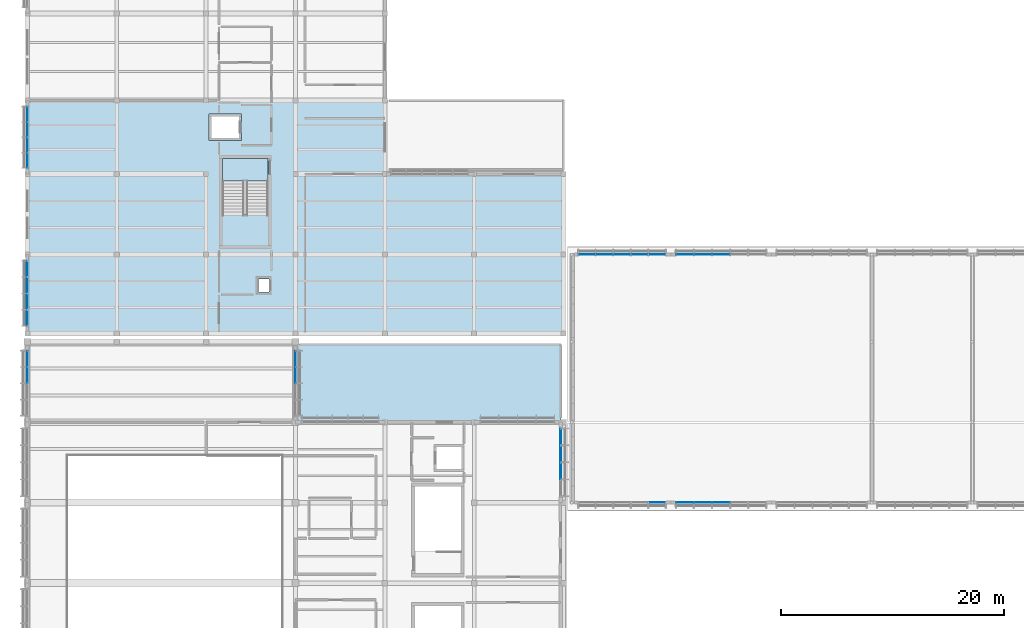
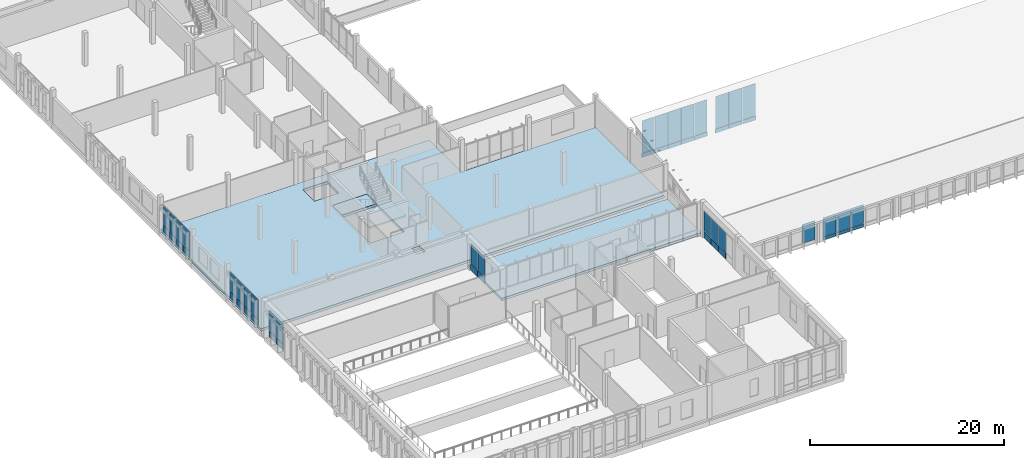
# One storey, part 146 of 182: 53 plates, 4 slabs, 10 elements without a shape of their own.
"""IFC4 building model written with IfcOpenShell, lengths in metres."""

from ifc_helpers import new_model, si_unit, direction, frame, origin, origin_2d, place, context, subcontext, project, spatial, polyline, rectangle, outline, extrude, material, layer, layer_set, type_object, element, aggregate, save


model = new_model("IFC4")

# Units and contexts
model_context = context("Model", 3, precision=1e-05, world=origin(), true_north=direction((0.0, 1.0)))
body_context = subcontext(model_context, "Body", "Model", "MODEL_VIEW")
ifc_project = project(units=[si_unit("LENGTHUNIT", "METRE"), si_unit("AREAUNIT", "SQUARE_METRE"), si_unit("VOLUMEUNIT", "CUBIC_METRE"), si_unit("PLANEANGLEUNIT", "RADIAN"), si_unit("MASSUNIT", "GRAM", prefix="KILO")], contexts=[model_context])

# Site, building, storey
site_placement = place(None, origin())
site = spatial("IfcSite", under=ifc_project, at=site_placement, CompositionType="ELEMENT")
building_placement = place(site_placement, origin())
building = spatial("IfcBuilding", under=site, at=building_placement, Name="Chiffa Square Polytechnic", CompositionType="ELEMENT")
storey_placement = place(building_placement, frame((0.0, 0.0, 9.60009765625)))
storey = spatial("IfcBuildingStorey", under=building, at=storey_placement, Name="L02", CompositionType="ELEMENT", Elevation=9.60009765625)

# Curtain wall, plates
ifc_material_1 = material(Name="Aluminium EN AW-6060 T66 and glulam shading", Category="wood")
curtain_wall_type_1 = type_object("IfcCurtainWallType", Name="CW-VERT-480X380", PredefinedType="USERDEFINED", material=ifc_material_1)
curtain_wall_1_placement = place(storey_placement, origin())
curtain_wall_1 = element("IfcCurtainWall", 1, at=curtain_wall_1_placement, inside=storey, type_object=curtain_wall_type_1, Name="Curtain wall CW-V3-L02-174", ObjectType="CURTAIN WALL", PredefinedType="USERDEFINED")
ifc_material_2 = material(Name="Double glazing", Category="glass")
ifc_layer_1 = layer(ifc_material_2, 0.0439453125, Name="Double glazing")
ifc_layer_set_1 = layer_set([ifc_layer_1], Name="Double glazing")
plate_type_1 = type_object("IfcPlateType", Name="CWP-GLZ-134X118", PredefinedType="CURTAIN_PANEL", material=ifc_layer_set_1)
plate_1_placement = place(storey_placement, frame((0.0, 34.465087890625, 0.84033203125), z_axis=(0.0, 0.0, 1.0), x_axis=(0.0, -1.0, 0.0)))
plate_1 = element("IfcPlate", 2, at=plate_1_placement, type_object=plate_type_1, Name="Glazed curtain panel CW-V3-L02-174-PN01", PredefinedType="CURTAIN_PANEL", context=body_context, shape_type="SweptSolid", body=[
    extrude(rectangle(XDim=1.39404296875, YDim=0.0439453125, at=origin_2d()), origin(), (0.0, 0.0, 1.0), 2.4951171875),
])
plate_2_placement = place(storey_placement, frame((0.0, 33.009033203125, 0.84033203125), z_axis=(0.0, 0.0, 1.0), x_axis=(0.0, -1.0, 0.0)))
plate_2 = element("IfcPlate", 3, at=plate_2_placement, type_object=plate_type_1, Name="Glazed curtain panel CW-V3-L02-174-PN02", PredefinedType="CURTAIN_PANEL", context=body_context, shape_type="SweptSolid", body=[
    extrude(rectangle(XDim=1.416015625, YDim=0.0439453125, at=origin_2d()), origin(), (0.0, 0.0, 1.0), 2.4951171875),
])

curtain_wall_type_2 = type_object("IfcCurtainWallType", Name="CW-VERT-360X380", PredefinedType="USERDEFINED", material=ifc_material_1)
curtain_wall_2_placement = place(storey_placement, origin())
curtain_wall_2 = element("IfcCurtainWall", 4, at=curtain_wall_2_placement, inside=storey, type_object=curtain_wall_type_2, Name="Curtain wall CW-V3-L02-173", ObjectType="CURTAIN WALL", PredefinedType="USERDEFINED")
ifc_layer_2 = layer(ifc_material_2, 0.0419921875, Name="Double glazing")
ifc_layer_set_2 = layer_set([ifc_layer_2], Name="Double glazing")
plate_type_2 = type_object("IfcPlateType", Name="CWP-GLZ-136X122", PredefinedType="CURTAIN_PANEL", material=ifc_layer_set_2)
plate_3_placement = place(storey_placement, frame((24.0, 33.009033203125, 0.84033203125), z_axis=(0.0, 0.0, 1.0), x_axis=(0.0, 1.0, 0.0)))
plate_3 = element("IfcPlate", 5, at=plate_3_placement, type_object=plate_type_2, Name="Glazed curtain panel CW-V3-L02-173-PN03", PredefinedType="CURTAIN_PANEL", context=body_context, shape_type="SweptSolid", body=[
    extrude(rectangle(XDim=1.416015625, YDim=0.0419921875, at=origin_2d()), origin(), (0.0, 0.0, 1.0), 2.4951171875),
])
plate_4_placement = place(storey_placement, frame((24.0, 34.465087890625, 0.84033203125), z_axis=(0.0, 0.0, 1.0), x_axis=(0.0, 1.0, 0.0)))
plate_4 = element("IfcPlate", 6, at=plate_4_placement, type_object=plate_type_2, Name="Glazed curtain panel CW-V3-L02-173-PN04", PredefinedType="CURTAIN_PANEL", context=body_context, shape_type="SweptSolid", body=[
    extrude(rectangle(XDim=1.39404296875, YDim=0.0419921875, at=origin_2d()), origin(), (0.0, 0.0, 1.0), 2.4951171875),
])

curtain_wall_3_placement = place(storey_placement, origin())
curtain_wall_3 = element("IfcCurtainWall", 7, at=curtain_wall_3_placement, inside=storey, type_object=curtain_wall_type_2, Name="Curtain wall CW-V6-L02-269", ObjectType="CURTAIN WALL", PredefinedType="USERDEFINED")
ifc_layer_3 = layer(ifc_material_2, 0.0400390625, Name="Double glazing")
ifc_layer_set_3 = layer_set([ifc_layer_3], Name="Double glazing")
plate_type_3 = type_object("IfcPlateType", Name="CWP-GLZ-140X130", PredefinedType="CURTAIN_PANEL", material=ifc_layer_set_3)
plate_5_placement = place(storey_placement, frame((0.0, 42.514892578125, 0.84033203125), z_axis=(0.0, 0.0, 1.0), x_axis=(0.0, -1.0, 0.0)))
plate_5 = element("IfcPlate", 8, at=plate_5_placement, type_object=plate_type_3, Name="Glazed curtain panel CW-V6-L02-269-PN01", PredefinedType="CURTAIN_PANEL", context=body_context, shape_type="SweptSolid", body=[
    extrude(rectangle(XDim=1.39306640625, YDim=0.0400390625, at=origin_2d()), origin(), (0.0, 0.0, 1.0), 2.485107421875),
])
plate_6_placement = place(storey_placement, frame((0.0, 41.05908203125, 0.84033203125), z_axis=(0.0, 0.0, 1.0), x_axis=(0.0, -1.0, 0.0)))
plate_6 = element("IfcPlate", 9, at=plate_6_placement, type_object=plate_type_3, Name="Glazed curtain panel CW-V6-L02-269-PN02", PredefinedType="CURTAIN_PANEL", context=body_context, shape_type="SweptSolid", body=[
    extrude(rectangle(XDim=1.4150390625, YDim=0.0400390625, at=origin_2d()), origin(), (0.0, 0.0, 1.0), 2.485107421875),
])
plate_7_placement = place(storey_placement, frame((0.0, 39.591064453125, 0.84033203125), z_axis=(0.0, 0.0, 1.0), x_axis=(0.0, -1.0, 0.0)))
plate_7 = element("IfcPlate", 10, at=plate_7_placement, type_object=plate_type_3, Name="Glazed curtain panel CW-V6-L02-269-PN03", PredefinedType="CURTAIN_PANEL", context=body_context, shape_type="SweptSolid", body=[
    extrude(rectangle(XDim=1.4150390625, YDim=0.0400390625, at=origin_2d()), origin(), (0.0, 0.0, 1.0), 2.485107421875),
])
plate_8_placement = place(storey_placement, frame((0.0, 38.135009765625, 0.84033203125), z_axis=(0.0, 0.0, 1.0), x_axis=(0.0, -1.0, 0.0)))
plate_8 = element("IfcPlate", 11, at=plate_8_placement, type_object=plate_type_3, Name="Glazed curtain panel CW-V6-L02-269-PN04", PredefinedType="CURTAIN_PANEL", context=body_context, shape_type="SweptSolid", body=[
    extrude(rectangle(XDim=1.39306640625, YDim=0.0400390625, at=origin_2d()), origin(), (0.0, 0.0, 1.0), 2.485107421875),
])

curtain_wall_type_3 = type_object("IfcCurtainWallType", Name="CW-VERT-450X380", PredefinedType="USERDEFINED", material=ifc_material_1)
curtain_wall_4_placement = place(storey_placement, origin())
curtain_wall_4 = element("IfcCurtainWall", 12, at=curtain_wall_4_placement, inside=storey, type_object=curtain_wall_type_3, Name="Curtain wall CW-V3-L02-170", ObjectType="CURTAIN WALL", PredefinedType="USERDEFINED")
ifc_layer_4 = layer(ifc_material_2, 0.0400390625, Name="Double glazing")
ifc_layer_set_4 = layer_set([ifc_layer_4], Name="Double glazing")
plate_type_4 = type_object("IfcPlateType", Name="CWP-GLZ-144X134", PredefinedType="CURTAIN_PANEL", material=ifc_layer_set_4)
plate_9_placement = place(storey_placement, frame((47.75, 24.43505859375, 0.84033203125), z_axis=(0.0, 0.0, 1.0), x_axis=(0.0, 1.0, 0.0)))
plate_9 = element("IfcPlate", 13, at=plate_9_placement, type_object=plate_type_4, Name="Glazed curtain panel CW-V3-L02-170-PN02", PredefinedType="CURTAIN_PANEL", context=body_context, shape_type="SweptSolid", body=[
    extrude(rectangle(XDim=1.47802734375, YDim=0.0400390625, at=origin_2d()), origin(), (0.0, 0.0, 1.0), 2.4951171875),
])
plate_10_placement = place(storey_placement, frame((47.75, 25.965087890625, 0.84033203125), z_axis=(0.0, 0.0, 1.0), x_axis=(0.0, 1.0, 0.0)))
plate_10 = element("IfcPlate", 14, at=plate_10_placement, type_object=plate_type_4, Name="Glazed curtain panel CW-V3-L02-170-PN03", PredefinedType="CURTAIN_PANEL", context=body_context, shape_type="SweptSolid", body=[
    extrude(rectangle(XDim=1.47802734375, YDim=0.0400390625, at=origin_2d()), origin(), (0.0, 0.0, 1.0), 2.4951171875),
])
plate_11_placement = place(storey_placement, frame((47.75, 27.48388671875, 0.84033203125), z_axis=(0.0, 0.0, 1.0), x_axis=(0.0, 1.0, 0.0)))
plate_11 = element("IfcPlate", 15, at=plate_11_placement, type_object=plate_type_4, Name="Glazed curtain panel CW-V3-L02-170-PN04", PredefinedType="CURTAIN_PANEL", context=body_context, shape_type="SweptSolid", body=[
    extrude(rectangle(XDim=1.4560546875, YDim=0.0400390625, at=origin_2d()), origin(), (0.0, 0.0, 1.0), 2.4951171875),
])

curtain_wall_type_4 = type_object("IfcCurtainWallType", Name="CW-VERT-600X380", PredefinedType="USERDEFINED", material=ifc_material_1)
curtain_wall_5_placement = place(storey_placement, origin())
curtain_wall_5 = element("IfcCurtainWall", 16, at=curtain_wall_5_placement, inside=storey, type_object=curtain_wall_type_4, Name="Curtain wall CW-V6-L02-268", ObjectType="CURTAIN WALL", PredefinedType="USERDEFINED")
plate_12_placement = place(storey_placement, frame((0.0, 56.35888671875, 0.84033203125), z_axis=(0.0, 0.0, 1.0), x_axis=(0.0, -1.0, 0.0)))
plate_12 = element("IfcPlate", 17, at=plate_12_placement, type_object=plate_type_4, Name="Glazed curtain panel CW-V6-L02-268-PN01", PredefinedType="CURTAIN_PANEL", context=body_context, shape_type="SweptSolid", body=[
    extrude(rectangle(XDim=1.305908203125, YDim=0.0400390625, at=origin_2d()), origin(), (0.0, 0.0, 1.0), 2.485107421875),
])
plate_13_placement = place(storey_placement, frame((0.0, 54.989990234375, 0.84033203125), z_axis=(0.0, 0.0, 1.0), x_axis=(0.0, -1.0, 0.0)))
plate_13 = element("IfcPlate", 18, at=plate_13_placement, type_object=plate_type_4, Name="Glazed curtain panel CW-V6-L02-268-PN02", PredefinedType="CURTAIN_PANEL", context=body_context, shape_type="SweptSolid", body=[
    extrude(rectangle(XDim=1.327880859375, YDim=0.0400390625, at=origin_2d()), origin(), (0.0, 0.0, 1.0), 2.485107421875),
])
plate_14_placement = place(storey_placement, frame((0.0, 53.610107421875, 0.84033203125), z_axis=(0.0, 0.0, 1.0), x_axis=(0.0, -1.0, 0.0)))
plate_14 = element("IfcPlate", 19, at=plate_14_placement, type_object=plate_type_4, Name="Glazed curtain panel CW-V6-L02-268-PN03", PredefinedType="CURTAIN_PANEL", context=body_context, shape_type="SweptSolid", body=[
    extrude(rectangle(XDim=1.327880859375, YDim=0.0400390625, at=origin_2d()), origin(), (0.0, 0.0, 1.0), 2.485107421875),
])
plate_15_placement = place(storey_placement, frame((0.0, 52.240966796875, 0.84033203125), z_axis=(0.0, 0.0, 1.0), x_axis=(0.0, -1.0, 0.0)))
plate_15 = element("IfcPlate", 20, at=plate_15_placement, type_object=plate_type_4, Name="Glazed curtain panel CW-V6-L02-268-PN04", PredefinedType="CURTAIN_PANEL", context=body_context, shape_type="SweptSolid", body=[
    extrude(rectangle(XDim=1.305908203125, YDim=0.0400390625, at=origin_2d()), origin(), (0.0, 0.0, 1.0), 2.485107421875),
])

# Curtain wall, plate
curtain_wall_type_5 = type_object("IfcCurtainWallType", Name="CW-VERT-600X440", PredefinedType="USERDEFINED", material=ifc_material_1)
curtain_wall_6_placement = place(storey_placement, origin())
curtain_wall_6 = element("IfcCurtainWall", 21, at=curtain_wall_6_placement, inside=storey, type_object=curtain_wall_type_5, Name="Curtain wall CW-V4-CLRS-01", ObjectType="CURTAIN WALL", PredefinedType="USERDEFINED")
ifc_layer_5 = layer(ifc_material_2, 0.035888671875, Name="Double glazing")
ifc_layer_set_5 = layer_set([ifc_layer_5], Name="Double glazing")
plate_type_5 = type_object("IfcPlateType", Name="CWP-GLZ-150X145", PredefinedType="CURTAIN_PANEL", material=ifc_layer_set_5)
plate_16_placement = place(storey_placement, frame((56.362060546875, 21.60009765625, 0.509765625), z_axis=(0.0, 0.0, 1.0), x_axis=(1.0, 0.0, 0.0)))
plate_16 = element("IfcPlate", 22, at=plate_16_placement, type_object=plate_type_5, Name="Glazed curtain panel CW-V4-CLRS-01-PN05", PredefinedType="CURTAIN_PANEL", context=body_context, shape_type="SweptSolid", body=[
    extrude(rectangle(XDim=1.5, YDim=0.035888671875, at=origin_2d()), origin(), (0.0, 0.0, 1.0), 2.382080078125),
])
aggregate(curtain_wall_6, [plate_16])

# Curtain wall, plates
curtain_wall_7_placement = place(storey_placement, origin())
curtain_wall_7 = element("IfcCurtainWall", 23, at=curtain_wall_7_placement, inside=storey, type_object=curtain_wall_type_3, Name="Curtain wall CW-V4-CLRN-01", ObjectType="CURTAIN WALL", PredefinedType="USERDEFINED")
plate_17_placement = place(storey_placement, frame((56.362060546875, 43.800048828125, 0.6103515625), z_axis=(0.0, 0.0, 1.0), x_axis=(-1.0, 0.0, 0.0)))
plate_17 = element("IfcPlate", 24, at=plate_17_placement, type_object=plate_type_5, Name="Glazed curtain panel CW-V4-CLRN-01-PN01", PredefinedType="CURTAIN_PANEL", context=body_context, shape_type="SweptSolid", body=[
    extrude(rectangle(XDim=1.5, YDim=0.035888671875, at=origin_2d()), origin(), (0.0, 0.0, 1.0), 4.0830078125),
])
plate_18_placement = place(storey_placement, frame((54.799072265625, 43.800048828125, 0.6103515625), z_axis=(0.0, 0.0, 1.0), x_axis=(-1.0, 0.0, 0.0)))
plate_18 = element("IfcPlate", 25, at=plate_18_placement, type_object=plate_type_5, Name="Glazed curtain panel CW-V4-CLRN-01-PN02", PredefinedType="CURTAIN_PANEL", context=body_context, shape_type="SweptSolid", body=[
    extrude(rectangle(XDim=1.52197265625, YDim=0.035888671875, at=origin_2d()), origin(), (0.0, 0.0, 1.0), 4.0830078125),
])
plate_19_placement = place(storey_placement, frame((53.22509765625, 43.800048828125, 0.6103515625), z_axis=(0.0, 0.0, 1.0), x_axis=(-1.0, 0.0, 0.0)))
plate_19 = element("IfcPlate", 26, at=plate_19_placement, type_object=plate_type_5, Name="Glazed curtain panel CW-V4-CLRN-01-PN03", PredefinedType="CURTAIN_PANEL", context=body_context, shape_type="SweptSolid", body=[
    extrude(rectangle(XDim=1.52197265625, YDim=0.035888671875, at=origin_2d()), origin(), (0.0, 0.0, 1.0), 4.0830078125),
])
plate_20_placement = place(storey_placement, frame((51.65087890625, 43.800048828125, 0.6103515625), z_axis=(0.0, 0.0, 1.0), x_axis=(-1.0, 0.0, 0.0)))
plate_20 = element("IfcPlate", 27, at=plate_20_placement, type_object=plate_type_5, Name="Glazed curtain panel CW-V4-CLRN-01-PN04", PredefinedType="CURTAIN_PANEL", context=body_context, shape_type="SweptSolid", body=[
    extrude(rectangle(XDim=1.52197265625, YDim=0.035888671875, at=origin_2d()), origin(), (0.0, 0.0, 1.0), 4.0830078125),
])
plate_21_placement = place(storey_placement, frame((50.087890625, 43.800048828125, 0.6103515625), z_axis=(0.0, 0.0, 1.0), x_axis=(-1.0, 0.0, 0.0)))
plate_21 = element("IfcPlate", 28, at=plate_21_placement, type_object=plate_type_5, Name="Glazed curtain panel CW-V4-CLRN-01-PN05", PredefinedType="CURTAIN_PANEL", context=body_context, shape_type="SweptSolid", body=[
    extrude(rectangle(XDim=1.5, YDim=0.035888671875, at=origin_2d()), origin(), (0.0, 0.0, 1.0), 4.0830078125),
])

curtain_wall_8_placement = place(storey_placement, origin())
curtain_wall_8 = element("IfcCurtainWall", 29, at=curtain_wall_8_placement, inside=storey, type_object=curtain_wall_type_3, Name="Curtain wall CW-V4-CLRS-02", ObjectType="CURTAIN WALL", PredefinedType="USERDEFINED")
plate_22_placement = place(storey_placement, frame((58.863037109375, 21.60009765625, 0.509765625), z_axis=(0.0, 0.0, 1.0), x_axis=(1.0, 0.0, 0.0)))
plate_22 = element("IfcPlate", 30, at=plate_22_placement, type_object=plate_type_5, Name="Glazed curtain panel CW-V4-CLRS-02-PN01", PredefinedType="CURTAIN_PANEL", context=body_context, shape_type="SweptSolid", body=[
    extrude(rectangle(XDim=1.550048828125, YDim=0.035888671875, at=origin_2d()), origin(), (0.0, 0.0, 1.0), 2.382080078125),
])
plate_23_placement = place(storey_placement, frame((60.47607421875, 21.60009765625, 0.509765625), z_axis=(0.0, 0.0, 1.0), x_axis=(1.0, 0.0, 0.0)))
plate_23 = element("IfcPlate", 31, at=plate_23_placement, type_object=plate_type_5, Name="Glazed curtain panel CW-V4-CLRS-02-PN02", PredefinedType="CURTAIN_PANEL", context=body_context, shape_type="SweptSolid", body=[
    extrude(rectangle(XDim=1.572021484375, YDim=0.035888671875, at=origin_2d()), origin(), (0.0, 0.0, 1.0), 2.382080078125),
])
plate_24_placement = place(storey_placement, frame((62.10009765625, 21.60009765625, 0.509765625), z_axis=(0.0, 0.0, 1.0), x_axis=(1.0, 0.0, 0.0)))
plate_24 = element("IfcPlate", 32, at=plate_24_placement, type_object=plate_type_5, Name="Glazed curtain panel CW-V4-CLRS-02-PN03", PredefinedType="CURTAIN_PANEL", context=body_context, shape_type="SweptSolid", body=[
    extrude(rectangle(XDim=1.572021484375, YDim=0.035888671875, at=origin_2d()), origin(), (0.0, 0.0, 1.0), 2.382080078125),
])

curtain_wall_type_6 = type_object("IfcCurtainWallType", Name="CW-VERT-300X380", PredefinedType="USERDEFINED", material=ifc_material_1)
curtain_wall_9_placement = place(storey_placement, origin())
curtain_wall_9 = element("IfcCurtainWall", 33, at=curtain_wall_9_placement, inside=storey, type_object=curtain_wall_type_6, Name="Curtain wall CW-V4-CLRN-02", ObjectType="CURTAIN WALL", PredefinedType="USERDEFINED")
plate_25_placement = place(storey_placement, frame((62.10009765625, 43.800048828125, 0.6103515625), z_axis=(0.0, 0.0, 1.0), x_axis=(-1.0, 0.0, 0.0)))
plate_25 = element("IfcPlate", 34, at=plate_25_placement, type_object=plate_type_5, Name="Glazed curtain panel CW-V4-CLRN-02-PN03", PredefinedType="CURTAIN_PANEL", context=body_context, shape_type="SweptSolid", body=[
    extrude(rectangle(XDim=1.572021484375, YDim=0.035888671875, at=origin_2d()), origin(), (0.0, 0.0, 1.0), 4.0830078125),
])
plate_26_placement = place(storey_placement, frame((60.47607421875, 43.800048828125, 0.6103515625), z_axis=(0.0, 0.0, 1.0), x_axis=(-1.0, 0.0, 0.0)))
plate_26 = element("IfcPlate", 35, at=plate_26_placement, type_object=plate_type_5, Name="Glazed curtain panel CW-V4-CLRN-02-PN04", PredefinedType="CURTAIN_PANEL", context=body_context, shape_type="SweptSolid", body=[
    extrude(rectangle(XDim=1.572021484375, YDim=0.035888671875, at=origin_2d()), origin(), (0.0, 0.0, 1.0), 4.0830078125),
])
plate_27_placement = place(storey_placement, frame((58.863037109375, 43.800048828125, 0.6103515625), z_axis=(0.0, 0.0, 1.0), x_axis=(-1.0, 0.0, 0.0)))
plate_27 = element("IfcPlate", 36, at=plate_27_placement, type_object=plate_type_5, Name="Glazed curtain panel CW-V4-CLRN-02-PN05", PredefinedType="CURTAIN_PANEL", context=body_context, shape_type="SweptSolid", body=[
    extrude(rectangle(XDim=1.550048828125, YDim=0.035888671875, at=origin_2d()), origin(), (0.0, 0.0, 1.0), 4.0830078125),
])

# Plate
ifc_material_3 = material(Name="Aluminium insulated spandrel", Category="aluminium")
ifc_layer_6 = layer(ifc_material_3, 0.072021484375, Name="Aluminium insulated spandrel")
ifc_layer_set_6 = layer_set([ifc_layer_6], Name="Aluminium insulated spandrel")
plate_type_6 = type_object("IfcPlateType", Name="CWP-SPN-136X072", PredefinedType="SHEET", material=ifc_layer_set_6)
plate_28_placement = place(storey_placement, frame((24.0, 33.009033203125, 0.0498046875), z_axis=(0.0, 0.0, 1.0), x_axis=(0.0, 1.0, 0.0)))
plate_28 = element("IfcPlate", 37, at=plate_28_placement, type_object=plate_type_6, Name="Spandrel panel CW-V3-L02-173-SP03", PredefinedType="SHEET", context=body_context, shape_type="SweptSolid", body=[
    extrude(rectangle(XDim=1.416015625, YDim=0.072021484375, at=origin_2d()), origin(), (0.0, 0.0, 1.0), 0.75),
])

plate_29_placement = place(storey_placement, frame((24.0, 34.465087890625, 0.0498046875), z_axis=(0.0, 0.0, 1.0), x_axis=(0.0, 1.0, 0.0)))
plate_29 = element("IfcPlate", 38, at=plate_29_placement, type_object=plate_type_6, Name="Spandrel panel CW-V3-L02-173-SP04", PredefinedType="SHEET", context=body_context, shape_type="SweptSolid", body=[
    extrude(rectangle(XDim=1.39404296875, YDim=0.072021484375, at=origin_2d()), origin(), (0.0, 0.0, 1.0), 0.75),
])

aggregate(curtain_wall_2, [plate_28, plate_3, plate_29, plate_4])

plate_30_placement = place(storey_placement, frame((0.0, 42.514892578125, 0.0498046875), z_axis=(0.0, 0.0, 1.0), x_axis=(0.0, -1.0, 0.0)))
plate_30 = element("IfcPlate", 39, at=plate_30_placement, type_object=plate_type_6, Name="Spandrel panel CW-V6-L02-269-SP01", PredefinedType="SHEET", context=body_context, shape_type="SweptSolid", body=[
    extrude(rectangle(XDim=1.39306640625, YDim=0.072021484375, at=origin_2d()), origin(), (0.0, 0.0, 1.0), 0.75),
])

plate_31_placement = place(storey_placement, frame((0.0, 41.05908203125, 0.0498046875), z_axis=(0.0, 0.0, 1.0), x_axis=(0.0, -1.0, 0.0)))
plate_31 = element("IfcPlate", 40, at=plate_31_placement, type_object=plate_type_6, Name="Spandrel panel CW-V6-L02-269-SP02", PredefinedType="SHEET", context=body_context, shape_type="SweptSolid", body=[
    extrude(rectangle(XDim=1.4150390625, YDim=0.072021484375, at=origin_2d()), origin(), (0.0, 0.0, 1.0), 0.75),
])

plate_32_placement = place(storey_placement, frame((0.0, 39.591064453125, 0.0498046875), z_axis=(0.0, 0.0, 1.0), x_axis=(0.0, -1.0, 0.0)))
plate_32 = element("IfcPlate", 41, at=plate_32_placement, type_object=plate_type_6, Name="Spandrel panel CW-V6-L02-269-SP03", PredefinedType="SHEET", context=body_context, shape_type="SweptSolid", body=[
    extrude(rectangle(XDim=1.4150390625, YDim=0.072021484375, at=origin_2d()), origin(), (0.0, 0.0, 1.0), 0.75),
])

plate_33_placement = place(storey_placement, frame((0.0, 38.135009765625, 0.0498046875), z_axis=(0.0, 0.0, 1.0), x_axis=(0.0, -1.0, 0.0)))
plate_33 = element("IfcPlate", 42, at=plate_33_placement, type_object=plate_type_6, Name="Spandrel panel CW-V6-L02-269-SP04", PredefinedType="SHEET", context=body_context, shape_type="SweptSolid", body=[
    extrude(rectangle(XDim=1.39306640625, YDim=0.072021484375, at=origin_2d()), origin(), (0.0, 0.0, 1.0), 0.75),
])

aggregate(curtain_wall_3, [plate_30, plate_5, plate_31, plate_6, plate_32, plate_7, plate_33, plate_8])

ifc_layer_7 = layer(ifc_material_3, 0.070068359375, Name="Aluminium insulated spandrel")
ifc_layer_set_7 = layer_set([ifc_layer_7], Name="Aluminium insulated spandrel")
plate_type_7 = type_object("IfcPlateType", Name="CWP-SPN-138X074", PredefinedType="SHEET", material=ifc_layer_set_7)
plate_34_placement = place(storey_placement, frame((0.0, 56.35888671875, 0.0498046875), z_axis=(0.0, 0.0, 1.0), x_axis=(0.0, -1.0, 0.0)))
plate_34 = element("IfcPlate", 43, at=plate_34_placement, type_object=plate_type_7, Name="Spandrel panel CW-V6-L02-268-SP01", PredefinedType="SHEET", context=body_context, shape_type="SweptSolid", body=[
    extrude(rectangle(XDim=1.305908203125, YDim=0.070068359375, at=origin_2d()), origin(), (0.0, 0.0, 1.0), 0.75),
])

plate_35_placement = place(storey_placement, frame((0.0, 54.989990234375, 0.0498046875), z_axis=(0.0, 0.0, 1.0), x_axis=(0.0, -1.0, 0.0)))
plate_35 = element("IfcPlate", 44, at=plate_35_placement, type_object=plate_type_7, Name="Spandrel panel CW-V6-L02-268-SP02", PredefinedType="SHEET", context=body_context, shape_type="SweptSolid", body=[
    extrude(rectangle(XDim=1.327880859375, YDim=0.070068359375, at=origin_2d()), origin(), (0.0, 0.0, 1.0), 0.75),
])

plate_36_placement = place(storey_placement, frame((0.0, 53.610107421875, 0.0498046875), z_axis=(0.0, 0.0, 1.0), x_axis=(0.0, -1.0, 0.0)))
plate_36 = element("IfcPlate", 45, at=plate_36_placement, type_object=plate_type_7, Name="Spandrel panel CW-V6-L02-268-SP03", PredefinedType="SHEET", context=body_context, shape_type="SweptSolid", body=[
    extrude(rectangle(XDim=1.327880859375, YDim=0.070068359375, at=origin_2d()), origin(), (0.0, 0.0, 1.0), 0.75),
])

plate_37_placement = place(storey_placement, frame((0.0, 52.240966796875, 0.0498046875), z_axis=(0.0, 0.0, 1.0), x_axis=(0.0, -1.0, 0.0)))
plate_37 = element("IfcPlate", 46, at=plate_37_placement, type_object=plate_type_7, Name="Spandrel panel CW-V6-L02-268-SP04", PredefinedType="SHEET", context=body_context, shape_type="SweptSolid", body=[
    extrude(rectangle(XDim=1.305908203125, YDim=0.070068359375, at=origin_2d()), origin(), (0.0, 0.0, 1.0), 0.75),
])

aggregate(curtain_wall_5, [plate_34, plate_12, plate_35, plate_13, plate_36, plate_14, plate_37, plate_15])

ifc_layer_8 = layer(ifc_material_3, 0.06591796875, Name="Aluminium insulated spandrel")
ifc_layer_set_8 = layer_set([ifc_layer_8], Name="Aluminium insulated spandrel")
plate_type_8 = type_object("IfcPlateType", Name="CWP-SPN-144X078", PredefinedType="SHEET", material=ifc_layer_set_8)
plate_38_placement = place(storey_placement, frame((47.75, 24.43505859375, 0.0498046875), z_axis=(0.0, 0.0, 1.0), x_axis=(0.0, 1.0, 0.0)))
plate_38 = element("IfcPlate", 47, at=plate_38_placement, type_object=plate_type_8, Name="Spandrel panel CW-V3-L02-170-SP02", PredefinedType="SHEET", context=body_context, shape_type="SweptSolid", body=[
    extrude(rectangle(XDim=1.47802734375, YDim=0.06591796875, at=origin_2d()), origin(), (0.0, 0.0, 1.0), 0.75),
])

plate_39_placement = place(storey_placement, frame((47.75, 25.965087890625, 0.0498046875), z_axis=(0.0, 0.0, 1.0), x_axis=(0.0, 1.0, 0.0)))
plate_39 = element("IfcPlate", 48, at=plate_39_placement, type_object=plate_type_8, Name="Spandrel panel CW-V3-L02-170-SP03", PredefinedType="SHEET", context=body_context, shape_type="SweptSolid", body=[
    extrude(rectangle(XDim=1.47802734375, YDim=0.06591796875, at=origin_2d()), origin(), (0.0, 0.0, 1.0), 0.75),
])

plate_40_placement = place(storey_placement, frame((47.75, 27.48388671875, 0.0498046875), z_axis=(0.0, 0.0, 1.0), x_axis=(0.0, 1.0, 0.0)))
plate_40 = element("IfcPlate", 49, at=plate_40_placement, type_object=plate_type_8, Name="Spandrel panel CW-V3-L02-170-SP04", PredefinedType="SHEET", context=body_context, shape_type="SweptSolid", body=[
    extrude(rectangle(XDim=1.4560546875, YDim=0.06591796875, at=origin_2d()), origin(), (0.0, 0.0, 1.0), 0.75),
])

aggregate(curtain_wall_4, [plate_38, plate_9, plate_39, plate_10, plate_40, plate_11])

ifc_layer_9 = layer(ifc_material_3, 0.06005859375, Name="Aluminium insulated spandrel")
ifc_layer_set_9 = layer_set([ifc_layer_9], Name="Aluminium insulated spandrel")
plate_type_9 = type_object("IfcPlateType", Name="CWP-SPN-150X095", PredefinedType="SHEET", material=ifc_layer_set_9)
plate_41_placement = place(storey_placement, frame((0.0, 34.465087890625, 0.0498046875), z_axis=(0.0, 0.0, 1.0), x_axis=(0.0, -1.0, 0.0)))
plate_41 = element("IfcPlate", 50, at=plate_41_placement, type_object=plate_type_9, Name="Spandrel panel CW-V3-L02-174-SP01", PredefinedType="SHEET", context=body_context, shape_type="SweptSolid", body=[
    extrude(rectangle(XDim=1.39404296875, YDim=0.06005859375, at=origin_2d()), origin(), (0.0, 0.0, 1.0), 0.75),
])

plate_42_placement = place(storey_placement, frame((0.0, 33.009033203125, 0.0498046875), z_axis=(0.0, 0.0, 1.0), x_axis=(0.0, -1.0, 0.0)))
plate_42 = element("IfcPlate", 51, at=plate_42_placement, type_object=plate_type_9, Name="Spandrel panel CW-V3-L02-174-SP02", PredefinedType="SHEET", context=body_context, shape_type="SweptSolid", body=[
    extrude(rectangle(XDim=1.416015625, YDim=0.06005859375, at=origin_2d()), origin(), (0.0, 0.0, 1.0), 0.75),
])

aggregate(curtain_wall_1, [plate_41, plate_1, plate_42, plate_2])

plate_43_placement = place(storey_placement, frame((56.362060546875, 43.800048828125, 0.08984375), z_axis=(0.0, 0.0, 1.0), x_axis=(-1.0, 0.0, 0.0)))
plate_43 = element("IfcPlate", 52, at=plate_43_placement, type_object=plate_type_9, Name="Spandrel panel CW-V4-CLRN-01-SP01", PredefinedType="SHEET", context=body_context, shape_type="SweptSolid", body=[
    extrude(rectangle(XDim=1.5, YDim=0.06005859375, at=origin_2d()), origin(), (0.0, 0.0, 1.0), 0.47998046875),
])

plate_44_placement = place(storey_placement, frame((54.799072265625, 43.800048828125, 0.08984375), z_axis=(0.0, 0.0, 1.0), x_axis=(-1.0, 0.0, 0.0)))
plate_44 = element("IfcPlate", 53, at=plate_44_placement, type_object=plate_type_9, Name="Spandrel panel CW-V4-CLRN-01-SP02", PredefinedType="SHEET", context=body_context, shape_type="SweptSolid", body=[
    extrude(rectangle(XDim=1.52197265625, YDim=0.06005859375, at=origin_2d()), origin(), (0.0, 0.0, 1.0), 0.47998046875),
])

plate_45_placement = place(storey_placement, frame((53.22509765625, 43.800048828125, 0.08984375), z_axis=(0.0, 0.0, 1.0), x_axis=(-1.0, 0.0, 0.0)))
plate_45 = element("IfcPlate", 54, at=plate_45_placement, type_object=plate_type_9, Name="Spandrel panel CW-V4-CLRN-01-SP03", PredefinedType="SHEET", context=body_context, shape_type="SweptSolid", body=[
    extrude(rectangle(XDim=1.52197265625, YDim=0.06005859375, at=origin_2d()), origin(), (0.0, 0.0, 1.0), 0.47998046875),
])

plate_46_placement = place(storey_placement, frame((51.65087890625, 43.800048828125, 0.08984375), z_axis=(0.0, 0.0, 1.0), x_axis=(-1.0, 0.0, 0.0)))
plate_46 = element("IfcPlate", 55, at=plate_46_placement, type_object=plate_type_9, Name="Spandrel panel CW-V4-CLRN-01-SP04", PredefinedType="SHEET", context=body_context, shape_type="SweptSolid", body=[
    extrude(rectangle(XDim=1.52197265625, YDim=0.06005859375, at=origin_2d()), origin(), (0.0, 0.0, 1.0), 0.47998046875),
])

plate_47_placement = place(storey_placement, frame((50.087890625, 43.800048828125, 0.08984375), z_axis=(0.0, 0.0, 1.0), x_axis=(-1.0, 0.0, 0.0)))
plate_47 = element("IfcPlate", 56, at=plate_47_placement, type_object=plate_type_9, Name="Spandrel panel CW-V4-CLRN-01-SP05", PredefinedType="SHEET", context=body_context, shape_type="SweptSolid", body=[
    extrude(rectangle(XDim=1.5, YDim=0.06005859375, at=origin_2d()), origin(), (0.0, 0.0, 1.0), 0.47998046875),
])

aggregate(curtain_wall_7, [plate_43, plate_17, plate_44, plate_18, plate_45, plate_19, plate_46, plate_20, plate_47, plate_21])

plate_48_placement = place(storey_placement, frame((58.863037109375, 21.60009765625, 0.08984375), z_axis=(0.0, 0.0, 1.0), x_axis=(1.0, 0.0, 0.0)))
plate_48 = element("IfcPlate", 57, at=plate_48_placement, type_object=plate_type_9, Name="Spandrel panel CW-V4-CLRS-02-SP01", PredefinedType="SHEET", context=body_context, shape_type="SweptSolid", body=[
    extrude(rectangle(XDim=1.550048828125, YDim=0.06005859375, at=origin_2d()), origin(), (0.0, 0.0, 1.0), 0.3798828125),
])

plate_49_placement = place(storey_placement, frame((60.47607421875, 21.60009765625, 0.08984375), z_axis=(0.0, 0.0, 1.0), x_axis=(1.0, 0.0, 0.0)))
plate_49 = element("IfcPlate", 58, at=plate_49_placement, type_object=plate_type_9, Name="Spandrel panel CW-V4-CLRS-02-SP02", PredefinedType="SHEET", context=body_context, shape_type="SweptSolid", body=[
    extrude(rectangle(XDim=1.572021484375, YDim=0.06005859375, at=origin_2d()), origin(), (0.0, 0.0, 1.0), 0.3798828125),
])

plate_50_placement = place(storey_placement, frame((62.10009765625, 21.60009765625, 0.08984375), z_axis=(0.0, 0.0, 1.0), x_axis=(1.0, 0.0, 0.0)))
plate_50 = element("IfcPlate", 59, at=plate_50_placement, type_object=plate_type_9, Name="Spandrel panel CW-V4-CLRS-02-SP03", PredefinedType="SHEET", context=body_context, shape_type="SweptSolid", body=[
    extrude(rectangle(XDim=1.572021484375, YDim=0.06005859375, at=origin_2d()), origin(), (0.0, 0.0, 1.0), 0.3798828125),
])

aggregate(curtain_wall_8, [plate_48, plate_22, plate_49, plate_23, plate_50, plate_24])

plate_51_placement = place(storey_placement, frame((62.10009765625, 43.800048828125, 0.08984375), z_axis=(0.0, 0.0, 1.0), x_axis=(-1.0, 0.0, 0.0)))
plate_51 = element("IfcPlate", 60, at=plate_51_placement, type_object=plate_type_9, Name="Spandrel panel CW-V4-CLRN-02-SP03", PredefinedType="SHEET", context=body_context, shape_type="SweptSolid", body=[
    extrude(rectangle(XDim=1.572021484375, YDim=0.06005859375, at=origin_2d()), origin(), (0.0, 0.0, 1.0), 0.47998046875),
])

plate_52_placement = place(storey_placement, frame((60.47607421875, 43.800048828125, 0.08984375), z_axis=(0.0, 0.0, 1.0), x_axis=(-1.0, 0.0, 0.0)))
plate_52 = element("IfcPlate", 61, at=plate_52_placement, type_object=plate_type_9, Name="Spandrel panel CW-V4-CLRN-02-SP04", PredefinedType="SHEET", context=body_context, shape_type="SweptSolid", body=[
    extrude(rectangle(XDim=1.572021484375, YDim=0.06005859375, at=origin_2d()), origin(), (0.0, 0.0, 1.0), 0.47998046875),
])

plate_53_placement = place(storey_placement, frame((58.863037109375, 43.800048828125, 0.08984375), z_axis=(0.0, 0.0, 1.0), x_axis=(-1.0, 0.0, 0.0)))
plate_53 = element("IfcPlate", 62, at=plate_53_placement, type_object=plate_type_9, Name="Spandrel panel CW-V4-CLRN-02-SP05", PredefinedType="SHEET", context=body_context, shape_type="SweptSolid", body=[
    extrude(rectangle(XDim=1.550048828125, YDim=0.06005859375, at=origin_2d()), origin(), (0.0, 0.0, 1.0), 0.47998046875),
])

aggregate(curtain_wall_9, [plate_51, plate_25, plate_52, plate_26, plate_53, plate_27])

# Slabs
ifc_material_4 = material(Name="Concrete C40/50", Category="concrete")
ifc_layer_10 = layer(ifc_material_4, 0.320068359375, Name="Concrete C40/50")
ifc_layer_set_10 = layer_set([ifc_layer_10], Name="Concrete C40/50")
slab_type_1 = type_object("IfcSlabType", Name="SLB-FLR-320", PredefinedType="FLOOR", material=ifc_layer_set_10)
slab_1_placement = place(storey_placement, frame((0.0, 0.0, -0.320068359375)))
element("IfcSlab", 63, at=slab_1_placement, inside=storey, type_object=slab_type_1, Name="V6 L02 structural slab SLB-V6-L02-053", PredefinedType="FLOOR", context=body_context, shape_type="SweptSolid", body=[
    extrude(outline(polyline([(32.0, 51.0), (48.0, 51.0), (48.0, 36.85009765625), (0.0, 36.85009765625), (0.0, 57.60009765625), (32.0, 57.60009765625), (32.0, 51.0)]), holes=[polyline([(21.550048828125, 52.39990234375), (21.550048828125, 44.60009765625), (17.449951171875, 44.60009765625), (17.449951171875, 52.39990234375), (21.550048828125, 52.39990234375)]), polyline([(16.25, 56.39990234375), (19.14990234375, 56.39990234375), (19.14990234375, 54.0), (16.25, 54.0), (16.25, 56.39990234375)]), polyline([(20.679931640625, 41.60009765625), (21.6201171875, 41.60009765625), (21.6201171875, 40.449951171875), (20.679931640625, 40.449951171875), (20.679931640625, 41.60009765625)])]), origin(), (0.0, 0.0, 1.0), 0.320068359375),
])
ifc_layer_11 = layer(ifc_material_4, 0.35009765625, Name="Concrete C40/50")
ifc_layer_set_11 = layer_set([ifc_layer_11], Name="Concrete C40/50")
slab_type_2 = type_object("IfcSlabType", Name="SLB-FLR-350", PredefinedType="FLOOR", material=ifc_layer_set_11)
slab_2_placement = place(storey_placement, frame((0.0, 0.0, -0.35009765625)))
element("IfcSlab", 64, at=slab_2_placement, inside=storey, type_object=slab_type_2, Name="Stair core floor landing slab SLB-CORE-CORE-V6A-L02", PredefinedType="FLOOR", context=body_context, shape_type="SweptSolid", body=[
    extrude(outline(polyline([(17.449951171875, 52.39990234375), (17.449951171875, 50.387939453125), (21.550048828125, 50.387939453125), (21.550048828125, 52.39990234375), (17.449951171875, 52.39990234375)])), origin(), (0.0, 0.0, 1.0), 0.35009765625),
])

# Stair, slab
ifc_material_5 = material(Name="Concrete C35/45", Category="concrete")
stair_type = type_object("IfcStairType", Name="STAIR-DOG-1950", PredefinedType="HALF_TURN_STAIR", material=ifc_material_5)
stair_placement = place(storey_placement, origin())
stair = element("IfcStair", 65, at=stair_placement, inside=storey, type_object=stair_type, Name="L02 Enclosed exit stair ST-V6A", PredefinedType="HALF_TURN_STAIR")
ifc_layer_12 = layer(ifc_material_5, 0.199951171875, Name="Concrete C35/45")
ifc_layer_set_12 = layer_set([ifc_layer_12], Name="Concrete C35/45")
slab_type_3 = type_object("IfcSlabType", Name="SLB-LND-200", PredefinedType="LANDING", material=ifc_layer_set_12)
slab_3_placement = place(storey_placement, frame((0.0, 0.0, 1.89990234375)))
slab_3 = element("IfcSlab", 66, at=slab_3_placement, type_object=slab_type_3, Name="ST-V6A landing 1", PredefinedType="LANDING", context=body_context, shape_type="SweptSolid", body=[
    extrude(outline(polyline([(17.330078125, 47.43994140625), (21.669921875, 47.43994140625), (21.669921875, 44.47998046875), (17.330078125, 44.47998046875), (17.330078125, 47.43994140625)])), origin(), (0.0, 0.0, 1.0), 0.199951171875),
])
aggregate(stair, [slab_3])

# Slab
ifc_layer_13 = layer(ifc_material_5, 0.300048828125, Name="Concrete C35/45")
ifc_layer_set_13 = layer_set([ifc_layer_13], Name="Concrete C35/45")
slab_type_4 = type_object("IfcSlabType", Name="SLB-ROOF-300", PredefinedType="ROOF", material=ifc_layer_set_13)
slab_4_placement = place(storey_placement, origin())
element("IfcSlab", 67, at=slab_4_placement, inside=storey, type_object=slab_type_4, Name="Lecture pavilion lower garden roof SLB-ROOF-V3-L02", PredefinedType="ROOF", context=body_context, shape_type="SweptSolid", body=[
    extrude(outline(polyline([(24.0, 28.800048828125), (47.75, 28.800048828125), (47.75, 35.75), (24.0, 35.75), (24.0, 28.800048828125)])), origin(), (0.0, 0.0, 1.0), 0.2998046875),
])

save(model, "model.ifc")
